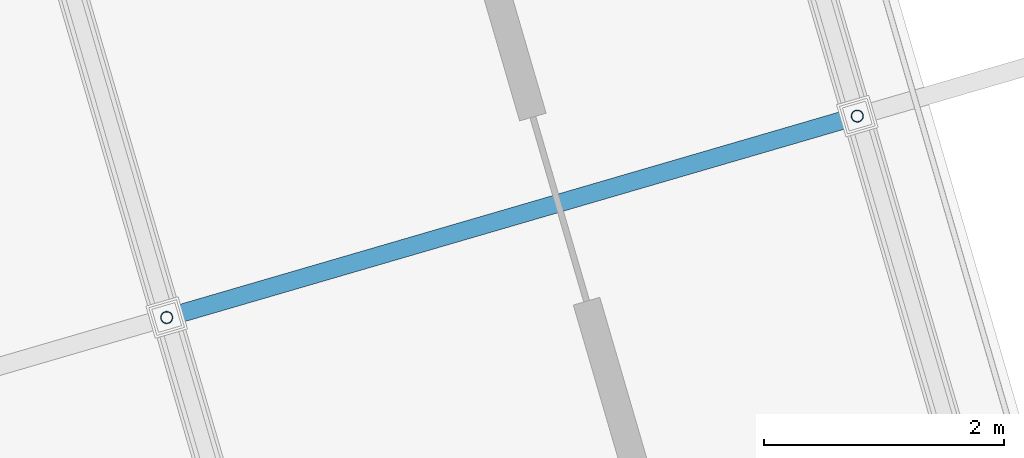
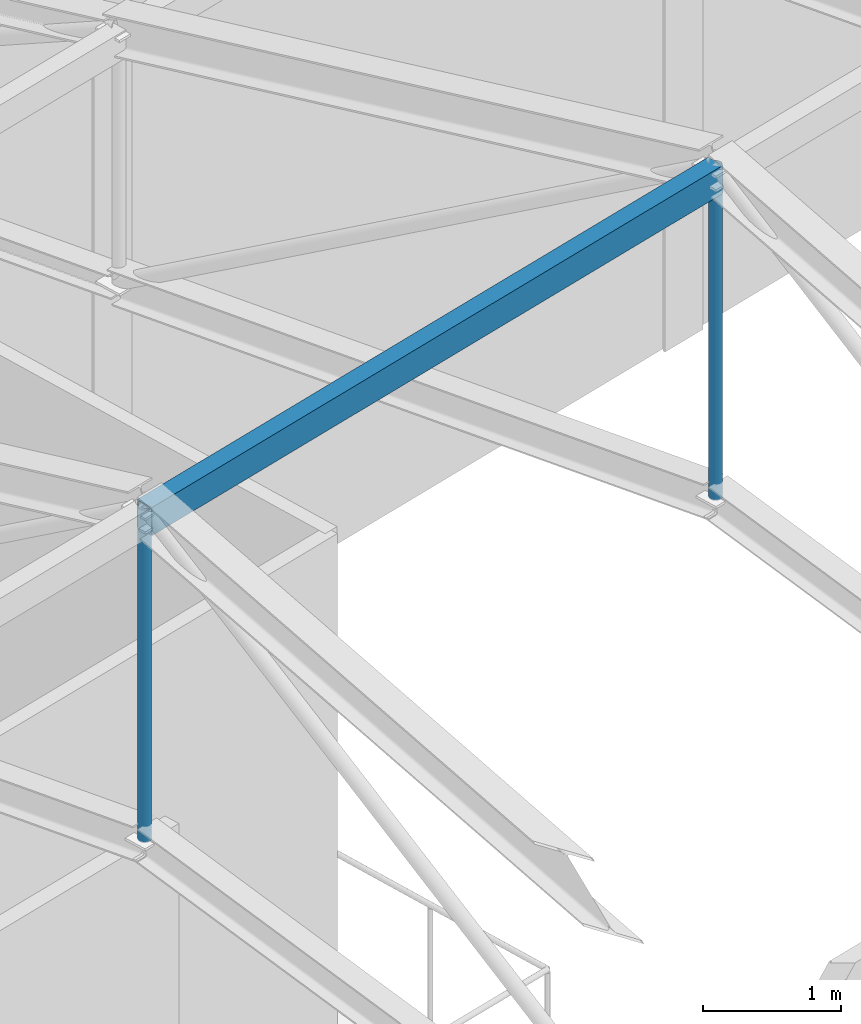
# One storey, part 143 of 248: 3 members.
"""IFC4 building model written with IfcOpenShell, lengths in metres."""

from ifc_helpers import new_model, si_unit, direction, frame, origin, origin_2d, place, context, subcontext, project, spatial, hollow_rectangle, hollow_circle, extrude, material, material_profile, profile_set, type_object, element, save


model = new_model("IFC4")

# Units and contexts
model_context = context("Model", 3, precision=1e-05, world=origin(), true_north=direction((0.0, 1.0)))
body_context = subcontext(model_context, "Body", "Model", "MODEL_VIEW")
ifc_project = project(units=[si_unit("LENGTHUNIT", "METRE"), si_unit("AREAUNIT", "SQUARE_METRE"), si_unit("VOLUMEUNIT", "CUBIC_METRE"), si_unit("PLANEANGLEUNIT", "RADIAN"), si_unit("MASSUNIT", "GRAM", prefix="KILO")], contexts=[model_context])

# Site, building, storey
site_placement = place(None, origin())
site = spatial("IfcSite", under=ifc_project, at=site_placement, CompositionType="ELEMENT")
building_placement = place(site_placement, origin())
building = spatial("IfcBuilding", under=site, at=building_placement, Name="Canggui Botanical Conservatory", CompositionType="ELEMENT")
storey_placement = place(building_placement, frame((0.0, 0.0, 5.39990234375)))
storey = spatial("IfcBuildingStorey", under=building, at=storey_placement, Name="L02", CompositionType="ELEMENT", Elevation=5.39990234375)

# Members
ifc_material = material(Name="Steel Q355B", Category="steel")
ifc_material_profile_1 = material_profile(ifc_material, hollow_rectangle(XDim=0.14990234375, YDim=0.25, WallThickness=0.008056640625, at=origin_2d()), Name="RHS 150x250x8")
ifc_profile_set_1 = profile_set([ifc_material_profile_1], Name="Steel Q355B")
member_type_1 = type_object("IfcMemberType", Name="MEM-PUR01", PredefinedType="PURLIN", material=ifc_profile_set_1)
member_placement = place(storey_placement, frame((68.39990234375, 103.199951171875, 13.25), z_axis=(0.960003190047, 0.279989062464, 0.0), x_axis=(-0.279989062464, 0.960003190047, 0.0)))
element("IfcMember", 1, at=member_placement, inside=storey, type_object=member_type_1, Name="Auditorium Roof Purlin 2-2", PredefinedType="PURLIN", context=body_context, shape_type="SweptSolid", body=[
    extrude(hollow_rectangle(XDim=0.14990234375, YDim=0.25, WallThickness=0.008056640625, at=origin_2d()), origin(), (0.0, 0.0, 1.0), 6.0),
])
ifc_material_profile_2 = material_profile(ifc_material, hollow_circle(Radius=0.051025390625, WallThickness=0.0048828125, at=origin_2d()), Name="CHS 102x5")
ifc_profile_set_2 = profile_set([ifc_material_profile_2], Name="Steel Q355B")
member_type_2 = type_object("IfcMemberType", Name="MEM-TW04", PredefinedType="BRACE", material=ifc_profile_set_2)
for number, where, z_axis, x_axis, name in (
    (2, (68.39990234375, 103.199951171875, 10.400146484375), (0.0, 0.0, 1.0), (1.0, 0.0, 0.0), "Auditorium Truss AT-02 Vertical Post 3"),
    (3, (74.159912109375, 104.8798828125, 10.400146484375), (0.0, 0.0, 1.0), (1.0, 0.0, 0.0), "Auditorium Truss AT-03 Vertical Post 3"),
):
    element("IfcMember", number, at=place(storey_placement, frame(where, z_axis=z_axis, x_axis=x_axis)), inside=storey, type_object=member_type_2, Name=name, PredefinedType="BRACE", context=body_context, shape_type="SweptSolid", body=[
        extrude(hollow_circle(Radius=0.051025390625, WallThickness=0.0048828125, at=origin_2d()), origin(), (0.0, 0.0, 1.0), 2.949951171875),
    ])

save(model, "model.ifc")
